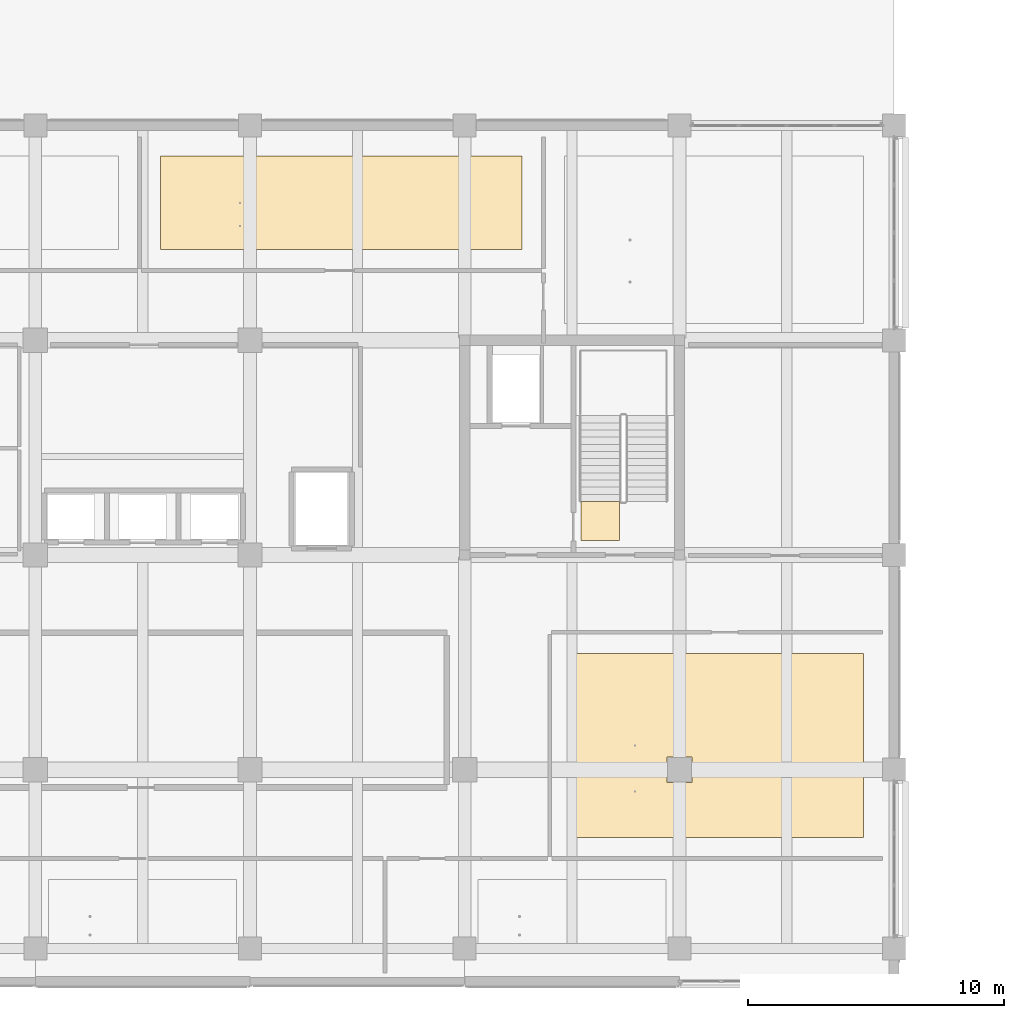
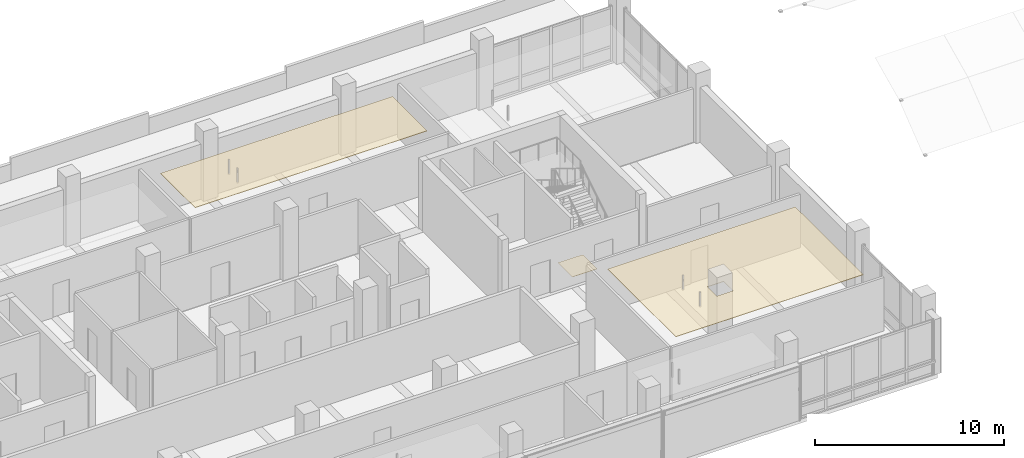
# One storey, part 52 of 59: 3 coverings.
"""IFC4 building model written with IfcOpenShell, lengths in metres."""

import ifcopenshell
import ifcopenshell.guid

model = None  # the IFC model being written
_history = None  # IfcOwnerHistory: only IFC2X3 demands one
_inside = {}  # id of a spatial element -> (the spatial element, [elements in it])
_under = {}  # id of a project, library or spatial element -> (it, [spatial elements below it])
_declared = {}  # id of a project -> (the project, [libraries it declares])
_typed = {}  # id of a type object -> (the type object, [elements of that type])
_made_of = {}  # id of a material, layer set ... -> (it, [elements and type objects made of it])


def new_model(schema):
    """Start an empty IFC model of exactly this schema.

    Asked for "IFC4X3", IfcOpenShell would pick the latest addendum, in which some entities
    have other attributes; the version numbers below select the first issue.
    IFC2X3 requires an IfcOwnerHistory on every rooted entity: one is made here for all.
    """
    global model, _history
    if schema == "IFC4X3":
        model = ifcopenshell.file(schema_version=(4, 3, 0, 0))
    else:
        model = ifcopenshell.file(schema=schema)
    _inside.clear()
    _under.clear()
    _declared.clear()
    _typed.clear()
    _made_of.clear()
    _history = None
    if model.schema == "IFC2X3":
        org = make("IfcOrganization", Name="unknown")
        user = make(
            "IfcPersonAndOrganization",
            ThePerson=make("IfcPerson", FamilyName="unknown"),
            TheOrganization=org,
        )
        app = make(
            "IfcApplication",
            ApplicationDeveloper=org,
            Version="unknown",
            ApplicationFullName="unknown",
            ApplicationIdentifier="unknown",
        )
        _history = make(
            "IfcOwnerHistory",
            OwningUser=user,
            OwningApplication=app,
            ChangeAction="ADDED",
            CreationDate=0,
        )
    return model


def make(cls, **values):
    """One entity of the class cls with the attributes given. An attribute that is None is left unset."""
    return model.create_entity(
        cls, **{name: value for name, value in values.items() if value is not None}
    )


def rooted(cls, **values):
    """An entity with a GlobalId (a new one), such as an element, a storey or a relation."""
    return make(cls, GlobalId=ifcopenshell.guid.new(), OwnerHistory=_history, **values)


def si_unit(unit_type, name, prefix=None):
    """IfcSIUnit, for example si_unit("LENGTHUNIT", "METRE", prefix="MILLI")."""
    return make("IfcSIUnit", UnitType=unit_type, Prefix=prefix, Name=name)


def assignment(units):
    """IfcUnitAssignment: the units of a project."""
    return None if units is None else make("IfcUnitAssignment", Units=units)


def point(xyz):
    """IfcCartesianPoint."""
    return None if xyz is None else make("IfcCartesianPoint", Coordinates=xyz)


def direction(xyz):
    """IfcDirection."""
    return None if xyz is None else make("IfcDirection", DirectionRatios=xyz)


def frame(location, z_axis=None, x_axis=None):
    """IfcAxis2Placement3D, a coordinate frame: its origin and axes. An axis left out is left unset."""
    return make(
        "IfcAxis2Placement3D",
        Location=point(location),
        Axis=direction(z_axis),
        RefDirection=direction(x_axis),
    )


def origin():
    """The frame at (0, 0, 0) with its axes left unset."""
    return frame((0.0, 0.0, 0.0))


def place(relative_to, where):
    """IfcLocalPlacement: puts the frame where relative to a parent placement (None: the world)."""
    return make(
        "IfcLocalPlacement", PlacementRelTo=relative_to, RelativePlacement=where
    )


def context(
    kind, dimensions, precision=None, world=None, true_north=None, identifier=None
):
    """IfcGeometricRepresentationContext, for example the 3D "Model" context."""
    return make(
        "IfcGeometricRepresentationContext",
        ContextIdentifier=identifier,
        ContextType=kind,
        CoordinateSpaceDimension=dimensions,
        Precision=precision,
        WorldCoordinateSystem=world,
        TrueNorth=true_north,
    )


def subcontext(parent, identifier, kind, view, scale=None):
    """IfcGeometricRepresentationSubContext, for example "Body" below "Model"."""
    return make(
        "IfcGeometricRepresentationSubContext",
        ContextIdentifier=identifier,
        ContextType=kind,
        ParentContext=parent,
        TargetScale=scale,
        TargetView=view,
    )


def project(units=None, contexts=None):
    """IfcProject with its units and contexts."""
    return rooted(
        "IfcProject",
        Name="project",
        RepresentationContexts=contexts,
        UnitsInContext=assignment(units),
    )


def spatial(cls, under=None, at=None, **own):
    """A site, building, storey or space (cls), placed at a placement, below another one or the project."""
    s = rooted(cls, ObjectPlacement=at, **own)
    if under is not None:
        _under.setdefault(under.id(), (under, []))[1].append(s)
    return s


def polyline(points):
    """IfcPolyline through the points."""
    return make("IfcPolyline", Points=[point(p) for p in points])


def outline(outer, holes=None, kind="AREA"):
    """IfcArbitraryClosedProfileDef: a profile drawn as a closed curve; with holes, ...WithVoids."""
    if holes is None:
        return make("IfcArbitraryClosedProfileDef", ProfileType=kind, OuterCurve=outer)
    return make(
        "IfcArbitraryProfileDefWithVoids",
        ProfileType=kind,
        OuterCurve=outer,
        InnerCurves=holes,
    )


def extrude(swept, where, along, depth):
    """IfcExtrudedAreaSolid: the profile swept, set in the frame where, extruded along a direction by depth."""
    return make(
        "IfcExtrudedAreaSolid",
        SweptArea=swept,
        Position=where,
        ExtrudedDirection=direction(along),
        Depth=depth,
    )


def shape(context_of_items, identifier, shape_type, items):
    """IfcShapeRepresentation: the items that make up one representation, for example the "Body"."""
    return make(
        "IfcShapeRepresentation",
        ContextOfItems=context_of_items,
        RepresentationIdentifier=identifier,
        RepresentationType=shape_type,
        Items=items,
    )


def material(Name=None, Category=None):
    """IfcMaterial."""
    return make("IfcMaterial", Name=Name, Category=Category)


def layer(
    of_material, thickness, ventilated=None, Name=None, Category=None, Priority=None
):
    """IfcMaterialLayer: one layer of a wall or slab, of a material (None: an air gap)."""
    return make(
        "IfcMaterialLayer",
        Material=of_material,
        LayerThickness=thickness,
        IsVentilated=ventilated,
        Name=Name,
        Category=Category,
        Priority=Priority,
    )


def layer_set(layers, Name=None):
    """IfcMaterialLayerSet."""
    return make("IfcMaterialLayerSet", MaterialLayers=layers, LayerSetName=Name)


def made_of(thing, what):
    """Note that an element or type object is made of a material, layer set ...; save() writes the relation."""
    if what is not None:
        _made_of.setdefault(what.id(), (what, []))[1].append(thing)
    return thing


def type_object(cls, material=None, **own):
    """A type object (cls), such as IfcWallType, which elements share."""
    return made_of(rooted(cls, **own), material)


def element(
    cls,
    number,
    at=None,
    inside=None,
    cuts=None,
    type_object=None,
    material=None,
    context=None,
    identifier="Body",
    shape_type=None,
    held_by="IfcProductDefinitionShape",
    body=None,
    shapes=None,
    **own,
):
    """One element of the class cls, such as IfcWall. Its Tag is "e" and its number.

    at: its placement. inside: the storey or other place that contains it. cuts: it is an
    opening in that element (IfcRelVoidsElement). A single representation is given by context,
    identifier, shape_type and body (its items); several are given by shapes. held_by: the class
    of the entity that holds the representations. save() writes the other relations.
    """
    e = rooted(cls, Tag="e%d" % number, ObjectPlacement=at, **own)
    if body is not None:
        shapes = [shape(context, identifier, shape_type, body)]
    if shapes is not None:
        e.Representation = make(held_by, Representations=shapes)
    if inside is not None:
        _inside.setdefault(inside.id(), (inside, []))[1].append(e)
    if cuts is not None:
        rooted(
            "IfcRelVoidsElement", RelatingBuildingElement=cuts, RelatedOpeningElement=e
        )
    if type_object is not None:
        _typed.setdefault(type_object.id(), (type_object, []))[1].append(e)
    return made_of(e, material)


def aggregate(whole, parts):
    """IfcRelAggregates: a whole, such as a stair, and the parts it consists of."""
    return rooted("IfcRelAggregates", RelatingObject=whole, RelatedObjects=parts)


def save(model, path):
    """Write the relations noted so far, then the file.

    IfcRelAggregates (storeys below a building ...), IfcRelContainedInSpatialStructure (elements
    in a storey), IfcRelDefinesByType, IfcRelAssociatesMaterial and IfcRelDeclares: one each for
    every whole, place, type object, material and project.
    """
    for whole, parts in _under.values():
        aggregate(whole, parts)
    for where, things in _inside.values():
        rooted(
            "IfcRelContainedInSpatialStructure",
            RelatedElements=things,
            RelatingStructure=where,
        )
    for kind, things in _typed.values():
        rooted("IfcRelDefinesByType", RelatedObjects=things, RelatingType=kind)
    for what, things in _made_of.values():
        rooted("IfcRelAssociatesMaterial", RelatedObjects=things, RelatingMaterial=what)
    for by, libraries in _declared.values():
        rooted("IfcRelDeclares", RelatingContext=by, RelatedDefinitions=libraries)
    model.write(path)


model = new_model("IFC4")

# Units and contexts
model_context = context("Model", 3, precision=1e-05, world=origin(), true_north=direction((0.0, 1.0)))
body_context = subcontext(model_context, "Body", "Model", "MODEL_VIEW")
ifc_project = project(units=[si_unit("LENGTHUNIT", "METRE"), si_unit("AREAUNIT", "SQUARE_METRE"), si_unit("VOLUMEUNIT", "CUBIC_METRE"), si_unit("PLANEANGLEUNIT", "RADIAN"), si_unit("MASSUNIT", "GRAM", prefix="KILO")], contexts=[model_context])

# Site, building, storey
site_placement = place(None, origin())
site = spatial("IfcSite", under=ifc_project, at=site_placement, CompositionType="ELEMENT")
building_placement = place(site_placement, origin())
building = spatial("IfcBuilding", under=site, at=building_placement, Name="Telukmera Botanical Conservatory", CompositionType="ELEMENT")
storey_placement = place(building_placement, frame((0.0, 0.0, 15.0)))
storey = spatial("IfcBuildingStorey", under=building, at=storey_placement, Name="L03", CompositionType="ELEMENT", Elevation=15.0)

# Coverings
ifc_material_1 = material(Name="Mineral fibre acoustic ceiling")
ifc_layer_1 = layer(ifc_material_1, 0.030029296875)
ifc_layer_set_1 = layer_set([ifc_layer_1], Name="Mineral fibre acoustic ceiling")
covering_type_1 = type_object("IfcCoveringType", Name="COV-CEIL-30", PredefinedType="CEILING", material=ifc_layer_set_1)
covering_1_placement = place(storey_placement, frame((0.0, 0.0, 3.320068359375)))
element("IfcCovering", 1, at=covering_1_placement, inside=storey, type_object=covering_type_1, Name="L03 East Herbarium Curation Studio Suspended Acoustic Ceiling", PredefinedType="CEILING", context=body_context, shape_type="SweptSolid", body=[
    extrude(outline(polyline([(96.550048828125, 14.949951171875), (108.0, 14.949951171875), (108.0, 22.14990234375), (96.550048828125, 22.14990234375), (96.550048828125, 14.949951171875)]), holes=[polyline([(100.304931640625, 17.10498046875), (101.294921875, 17.10498046875), (101.294921875, 18.094970703125), (100.304931640625, 18.094970703125), (100.304931640625, 17.10498046875)])]), origin(), (0.0, 0.0, 1.0), 0.030029296875),
])
covering_2_placement = place(storey_placement, frame((0.0, 0.0, 3.320068359375)))
element("IfcCovering", 2, at=covering_2_placement, inside=storey, type_object=covering_type_1, Name="L03 Botanical Illustration Archive Suspended Acoustic Ceiling", PredefinedType="CEILING", context=body_context, shape_type="SweptSolid", body=[
    extrude(outline(polyline([(80.5, 37.949951171875), (94.64990234375, 37.949951171875), (94.64990234375, 41.60009765625), (80.5, 41.60009765625), (80.5, 37.949951171875)])), origin(), (0.0, 0.0, 1.0), 0.030029296875),
])
ifc_material_2 = material(Name="Honed granite non-slip flooring", Category="masonry")
ifc_layer_2 = layer(ifc_material_2, 0.011962890625)
ifc_layer_set_2 = layer_set([ifc_layer_2], Name="Honed granite non-slip flooring")
covering_type_2 = type_object("IfcCoveringType", Name="COV-FLR-12", PredefinedType="FLOORING", material=ifc_layer_set_2)
covering_3_placement = place(storey_placement, origin())
element("IfcCovering", 3, at=covering_3_placement, inside=storey, type_object=covering_type_2, Name="L03 ST2 Non-Slip Stair Landing Finish", PredefinedType="FLOORING", context=body_context, shape_type="SweptSolid", body=[
    extrude(outline(polyline([(98.449951171875, 26.570068359375), (98.449951171875, 28.0849609375), (96.949951171875, 28.0849609375), (96.949951171875, 26.570068359375), (98.449951171875, 26.570068359375)])), origin(), (0.0, 0.0, 1.0), 0.011962890625),
])

save(model, "model.ifc")
